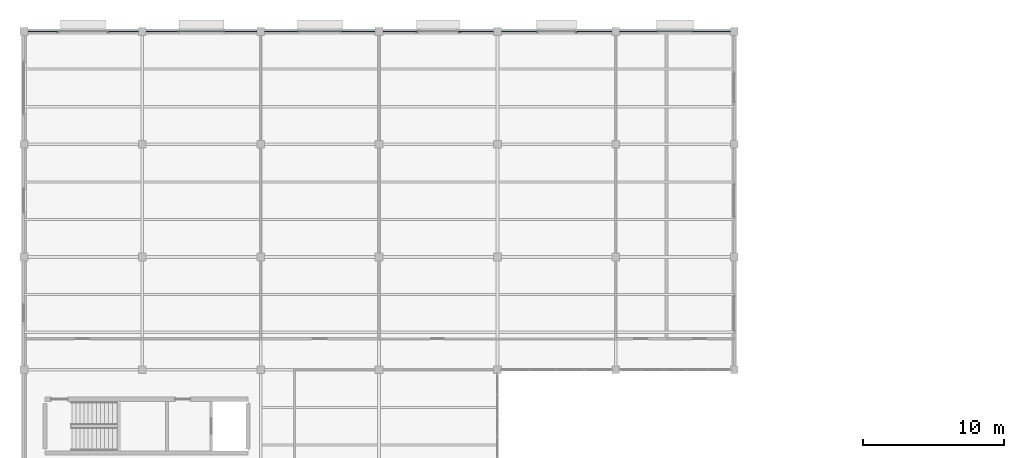
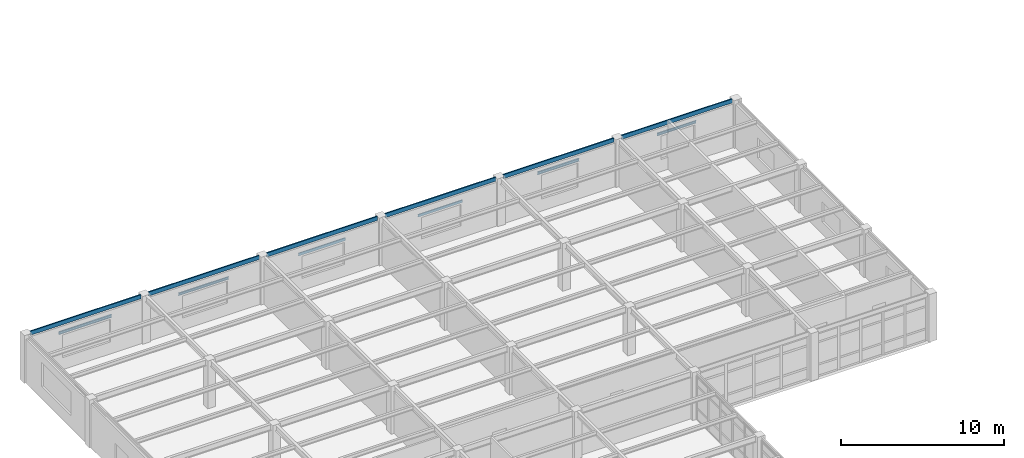
# One storey, part 21 of 53: 12 beams.
"""IFC4 building model written with IfcOpenShell, lengths in metres."""

from ifc_helpers import new_model, si_unit, direction, frame, origin, origin_2d, place, context, subcontext, project, spatial, i_section, u_section, extrude, material, material_profile, profile_set, type_object, element, save


model = new_model("IFC4")

# Units and contexts
model_context = context("Model", 3, precision=1e-05, world=origin(), true_north=direction((0.0, 1.0)))
body_context = subcontext(model_context, "Body", "Model", "MODEL_VIEW")
ifc_project = project(units=[si_unit("LENGTHUNIT", "METRE"), si_unit("AREAUNIT", "SQUARE_METRE"), si_unit("VOLUMEUNIT", "CUBIC_METRE"), si_unit("PLANEANGLEUNIT", "RADIAN"), si_unit("MASSUNIT", "GRAM", prefix="KILO")], contexts=[model_context])

# Site, building, storey
site_placement = place(None, origin())
site = spatial("IfcSite", under=ifc_project, at=site_placement, CompositionType="ELEMENT")
building_placement = place(site_placement, origin())
building = spatial("IfcBuilding", under=site, at=building_placement, Name="Kranzveld Transit Interchange", CompositionType="ELEMENT")
storey_placement = place(building_placement, frame((0.0, 0.0, 13.360107421875)))
storey = spatial("IfcBuildingStorey", under=building, at=storey_placement, Name="L03", CompositionType="ELEMENT", Elevation=13.360107421875)

# Beams
ifc_material_1 = material(Name="Steel S355JR", Category="steel")
ifc_material_profile_1 = material_profile(ifc_material_1, u_section(Depth=0.300048828125, FlangeWidth=0.090087890625, WebThickness=0.009033203125, FlangeThickness=0.015380859375, FilletRadius=0.011962890625, at=origin_2d()), Name="PFC 300x90x41")
ifc_profile_set_1 = profile_set([ifc_material_profile_1], Name="Steel S355JR")
beam_type_1 = type_object("IfcBeamType", Name="Edge Spandrel PFC 300x90x41 S355JR", PredefinedType="SPANDREL", material=ifc_profile_set_1)
beam_1_placement = place(storey_placement, frame((0.264892578125, 112.0, 3.429931640625), z_axis=(1.0, 0.0, 0.0), x_axis=(0.0, 1.0, 0.0)))
element("IfcBeam", 1, at=beam_1_placement, inside=storey, type_object=beam_type_1, Name="L03 Girder 01-02/Q", PredefinedType="SPANDREL", context=body_context, shape_type="SweptSolid", body=[
    extrude(u_section(Depth=0.300048828125, FlangeWidth=0.090087890625, WebThickness=0.009033203125, FlangeThickness=0.015380859375, FilletRadius=0.011962890625, at=origin_2d()), origin(), (0.0, 0.0, 1.0), 7.8701171875),
])
beam_2_placement = place(storey_placement, frame((8.6650390625, 112.0, 3.429931640625), z_axis=(1.0, 0.0, 0.0), x_axis=(0.0, 1.0, 0.0)))
element("IfcBeam", 2, at=beam_2_placement, inside=storey, type_object=beam_type_1, Name="L03 Girder 02-03/Q", PredefinedType="SPANDREL", context=body_context, shape_type="SweptSolid", body=[
    extrude(u_section(Depth=0.300048828125, FlangeWidth=0.090087890625, WebThickness=0.009033203125, FlangeThickness=0.015380859375, FilletRadius=0.011962890625, at=origin_2d()), origin(), (0.0, 0.0, 1.0), 7.869873046875),
])
beam_3_placement = place(storey_placement, frame((17.06494140625, 112.0, 3.429931640625), z_axis=(1.0, 0.0, 0.0), x_axis=(0.0, 1.0, 0.0)))
element("IfcBeam", 3, at=beam_3_placement, inside=storey, type_object=beam_type_1, Name="L03 Girder 03-04/Q", PredefinedType="SPANDREL", context=body_context, shape_type="SweptSolid", body=[
    extrude(u_section(Depth=0.300048828125, FlangeWidth=0.090087890625, WebThickness=0.009033203125, FlangeThickness=0.015380859375, FilletRadius=0.011962890625, at=origin_2d()), origin(), (0.0, 0.0, 1.0), 7.8701171875),
])
beam_4_placement = place(storey_placement, frame((25.465087890625, 112.0, 3.429931640625), z_axis=(1.0, 0.0, 0.0), x_axis=(0.0, 1.0, 0.0)))
element("IfcBeam", 4, at=beam_4_placement, inside=storey, type_object=beam_type_1, Name="L03 Girder 04-05/Q", PredefinedType="SPANDREL", context=body_context, shape_type="SweptSolid", body=[
    extrude(u_section(Depth=0.300048828125, FlangeWidth=0.090087890625, WebThickness=0.009033203125, FlangeThickness=0.015380859375, FilletRadius=0.011962890625, at=origin_2d()), origin(), (0.0, 0.0, 1.0), 7.869873046875),
])
for number, where, z_axis, x_axis, name in (
    (5, (33.864990234375, 112.0, 3.429931640625), (1.0, 0.0, 0.0), (0.0, 1.0, 0.0), "L03 Girder 05-06/Q"),
    (6, (42.264892578125, 112.0, 3.429931640625), (1.0, 0.0, 0.0), (0.0, 1.0, 0.0), "L03 Girder 06-07/Q"),
):
    element("IfcBeam", number, at=place(storey_placement, frame(where, z_axis=z_axis, x_axis=x_axis)), inside=storey, type_object=beam_type_1, Name=name, PredefinedType="SPANDREL", context=body_context, shape_type="SweptSolid", body=[
        extrude(u_section(Depth=0.300048828125, FlangeWidth=0.090087890625, WebThickness=0.009033203125, FlangeThickness=0.015380859375, FilletRadius=0.011962890625, at=origin_2d()), origin(), (0.0, 0.0, 1.0), 7.8701171875),
    ])
ifc_material_2 = material(Name="Steel S355JR", Category="steel")
ifc_material_profile_2 = material_profile(ifc_material_2, u_section(Depth=0.179931640625, FlangeWidth=0.070068359375, WebThickness=0.007080078125, FlangeThickness=0.010986328125, FilletRadius=0.010009765625, at=origin_2d()), Name="PFC 180x70x22")
ifc_profile_set_2 = profile_set([ifc_material_profile_2], Name="Steel S355JR")
beam_type_2 = type_object("IfcBeamType", Name="Masonry Lintel PFC 180x70x22 S355JR", PredefinedType="LINTEL", material=ifc_profile_set_2)
beam_5_placement = place(storey_placement, frame((27.820068359375, 112.0, 2.594970703125), z_axis=(1.0, 0.0, 0.0), x_axis=(0.0, 1.0, 0.0)))
element("IfcBeam", 7, at=beam_5_placement, inside=storey, type_object=beam_type_2, Name="L03 Window Lintel 185", PredefinedType="LINTEL", context=body_context, shape_type="SweptSolid", body=[
    extrude(u_section(Depth=0.179931640625, FlangeWidth=0.070068359375, WebThickness=0.007080078125, FlangeThickness=0.010986328125, FilletRadius=0.010009765625, at=origin_2d()), origin(), (0.0, 0.0, 1.0), 3.159912109375),
])
ifc_material_3 = material(Name="Steel S355JR", Category="steel")
ifc_material_profile_3 = material_profile(ifc_material_3, u_section(Depth=0.199951171875, FlangeWidth=0.074951171875, WebThickness=0.006103515625, FlangeThickness=0.012451171875, FilletRadius=0.011962890625, at=origin_2d()), Name="PFC 200x75x23")
ifc_profile_set_3 = profile_set([ifc_material_profile_3], Name="Steel S355JR")
beam_type_3 = type_object("IfcBeamType", Name="Masonry Lintel PFC 200x75x23 S355JR", PredefinedType="LINTEL", material=ifc_profile_set_3)
beam_6_placement = place(storey_placement, frame((19.320068359375, 112.0, 2.65478515625), z_axis=(1.0, 0.0, 0.0), x_axis=(0.0, 1.0, 0.0)))
element("IfcBeam", 8, at=beam_6_placement, inside=storey, type_object=beam_type_3, Name="L03 Window Lintel 184", PredefinedType="LINTEL", context=body_context, shape_type="SweptSolid", body=[
    extrude(u_section(Depth=0.199951171875, FlangeWidth=0.074951171875, WebThickness=0.006103515625, FlangeThickness=0.012451171875, FilletRadius=0.011962890625, at=origin_2d()), origin(), (0.0, 0.0, 1.0), 3.35986328125),
])
ifc_material_4 = material(Name="Steel S355JR", Category="steel")
ifc_material_profile_4 = material_profile(ifc_material_4, i_section(OverallWidth=0.091064453125, OverallDepth=0.179931640625, WebThickness=0.00537109375, FlangeThickness=0.008056640625, FilletRadius=0.009033203125, at=origin_2d()), Name="IPE 180")
ifc_profile_set_4 = profile_set([ifc_material_profile_4], Name="Steel S355JR")
beam_type_4 = type_object("IfcBeamType", Name="Opening Lintel IPE 180 S355JR", PredefinedType="LINTEL", material=ifc_profile_set_4)
beam_7_placement = place(storey_placement, frame((44.820068359375, 112.0, 2.744873046875), z_axis=(1.0, 0.0, 0.0), x_axis=(0.0, 1.0, 0.0)))
element("IfcBeam", 9, at=beam_7_placement, inside=storey, type_object=beam_type_4, Name="L03 Window Lintel 167", PredefinedType="LINTEL", context=body_context, shape_type="SweptSolid", body=[
    extrude(i_section(OverallWidth=0.091064453125, OverallDepth=0.179931640625, WebThickness=0.00537109375, FlangeThickness=0.008056640625, FilletRadius=0.009033203125, at=origin_2d()), origin(), (0.0, 0.0, 1.0), 2.760009765625),
])
beam_8_placement = place(storey_placement, frame((10.820068359375, 112.0, 2.644775390625), z_axis=(1.0, 0.0, 0.0), x_axis=(0.0, 1.0, 0.0)))
element("IfcBeam", 10, at=beam_8_placement, inside=storey, type_object=beam_type_4, Name="L03 Window Lintel 183", PredefinedType="LINTEL", context=body_context, shape_type="SweptSolid", body=[
    extrude(i_section(OverallWidth=0.091064453125, OverallDepth=0.179931640625, WebThickness=0.00537109375, FlangeThickness=0.008056640625, FilletRadius=0.009033203125, at=origin_2d()), origin(), (0.0, 0.0, 1.0), 3.559814453125),
])
ifc_material_5 = material(Name="Steel S355JR", Category="steel")
ifc_material_profile_5 = material_profile(ifc_material_5, i_section(OverallWidth=0.10009765625, OverallDepth=0.199951171875, WebThickness=0.005615234375, FlangeThickness=0.008544921875, FilletRadius=0.011962890625, at=origin_2d()), Name="IPE 200")
ifc_profile_set_5 = profile_set([ifc_material_profile_5], Name="Steel S355JR")
beam_type_5 = type_object("IfcBeamType", Name="Opening Lintel IPE 200 S355JR", PredefinedType="LINTEL", material=ifc_profile_set_5)
beam_9_placement = place(storey_placement, frame((36.320068359375, 112.0, 2.804931640625), z_axis=(1.0, 0.0, 0.0), x_axis=(0.0, 1.0, 0.0)))
element("IfcBeam", 11, at=beam_9_placement, inside=storey, type_object=beam_type_5, Name="L03 Window Lintel 166", PredefinedType="LINTEL", context=body_context, shape_type="SweptSolid", body=[
    extrude(i_section(OverallWidth=0.10009765625, OverallDepth=0.199951171875, WebThickness=0.005615234375, FlangeThickness=0.008544921875, FilletRadius=0.011962890625, at=origin_2d()), origin(), (0.0, 0.0, 1.0), 2.9599609375),
])
beam_10_placement = place(storey_placement, frame((2.320068359375, 112.0, 2.704833984375), z_axis=(1.0, 0.0, 0.0), x_axis=(0.0, 1.0, 0.0)))
element("IfcBeam", 12, at=beam_10_placement, inside=storey, type_object=beam_type_5, Name="L03 Window Lintel 182", PredefinedType="LINTEL", context=body_context, shape_type="SweptSolid", body=[
    extrude(i_section(OverallWidth=0.10009765625, OverallDepth=0.199951171875, WebThickness=0.005615234375, FlangeThickness=0.008544921875, FilletRadius=0.011962890625, at=origin_2d()), origin(), (0.0, 0.0, 1.0), 3.760009765625),
])

save(model, "model.ifc")
